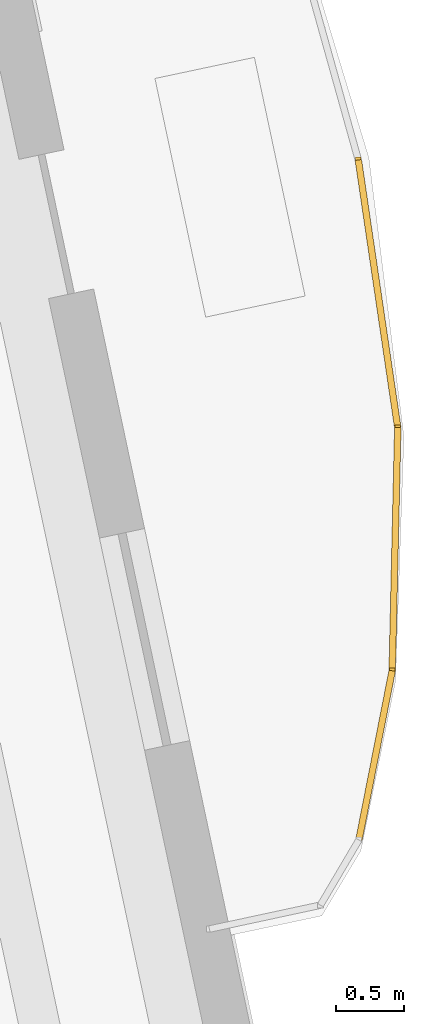
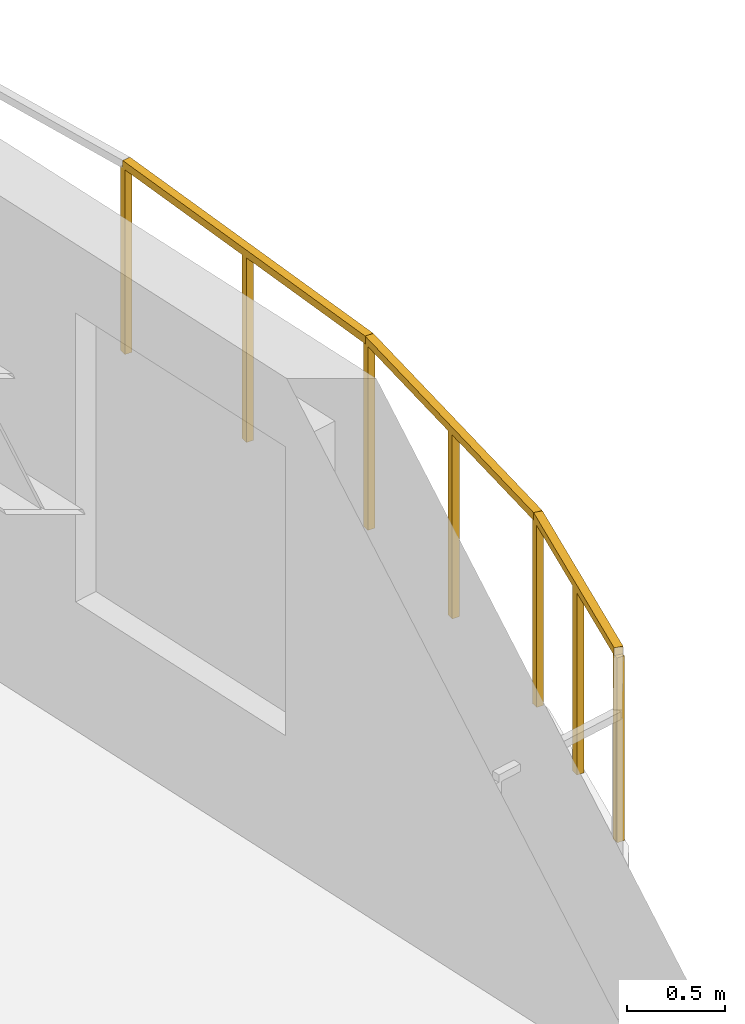
# One storey, part 25 of 25: 3 railings.
"""IFC4 building model written with IfcOpenShell, lengths in metres."""

from ifc_helpers import new_model, si_unit, direction, frame, origin, origin_2d, place, context, subcontext, project, spatial, rectangle, extrude, material, type_object, element, save


model = new_model("IFC4")

# Units and contexts
model_context = context("Model", 3, precision=1e-05, world=origin(), true_north=direction((0.0, 1.0)))
body_context = subcontext(model_context, "Body", "Model", "MODEL_VIEW")
ifc_project = project(units=[si_unit("LENGTHUNIT", "METRE"), si_unit("AREAUNIT", "SQUARE_METRE"), si_unit("VOLUMEUNIT", "CUBIC_METRE"), si_unit("PLANEANGLEUNIT", "RADIAN"), si_unit("MASSUNIT", "GRAM", prefix="KILO")], contexts=[model_context])

# Site, building, storey
site_placement = place(None, origin())
site = spatial("IfcSite", under=ifc_project, at=site_placement, CompositionType="ELEMENT")
building_placement = place(site_placement, origin())
building = spatial("IfcBuilding", under=site, at=building_placement, Name="Haevon Station Towers", CompositionType="ELEMENT")
storey_placement = place(building_placement, frame((0.0, 0.0, 50.39990234375)))
storey = spatial("IfcBuildingStorey", under=building, at=storey_placement, Name="L12", CompositionType="ELEMENT", Elevation=50.39990234375)

# Railings
ifc_material = material(Name="Steel S355", Category="steel")
railing_type = type_object("IfcRailingType", Name="GRD-EXT1200", PredefinedType="GUARDRAIL", material=ifc_material)
railing_1_placement = place(storey_placement, frame((137.352294921875, 29.663818359375, 0.0)))
element("IfcRailing", 1, at=railing_1_placement, inside=storey, type_object=railing_type, Name="L12 Perimeter Guardrail 3", PredefinedType="GUARDRAIL", context=body_context, shape_type="SweptSolid", body=[
    extrude(rectangle(XDim=0.048095703125, YDim=0.048095703125, at=origin_2d()), frame((0.0, 0.0, 1.17578125), z_axis=(0.193200510437, 0.981159295307, 0.0), x_axis=(-0.981159295307, 0.193200510437, 0.0)), (0.0, 0.0, 1.0), 1.2724609375),
    extrude(rectangle(XDim=0.0419921875, YDim=0.0419921875, at=origin_2d()), origin(), (0.0, 0.0, 1.0), 1.15185546875),
    extrude(rectangle(XDim=0.0419921875, YDim=0.0419921875, at=origin_2d()), frame((0.123046875, 0.624267578125, 0.0)), (0.0, 0.0, 1.0), 1.15185546875),
    extrude(rectangle(XDim=0.0419921875, YDim=0.0419921875, at=origin_2d()), frame((0.245849609375, 1.24853515625, 0.0)), (0.0, 0.0, 1.0), 1.15185546875),
])
railing_2_placement = place(storey_placement, frame((137.59814453125, 30.912353515625, 0.0)))
element("IfcRailing", 2, at=railing_2_placement, inside=storey, type_object=railing_type, Name="L12 Perimeter Guardrail 4", PredefinedType="GUARDRAIL", context=body_context, shape_type="SweptSolid", body=[
    extrude(rectangle(XDim=0.048095703125, YDim=0.048095703125, at=origin_2d()), frame((0.0, 0.0, 1.17578125), z_axis=(0.022993374978, 0.999735617404, 0.0), x_axis=(-0.999735617404, 0.022993374978, 0.0)), (0.0, 0.0, 1.0), 1.79443359375),
    extrude(rectangle(XDim=0.0419921875, YDim=0.0419921875, at=origin_2d()), origin(), (0.0, 0.0, 1.0), 1.15185546875),
    extrude(rectangle(XDim=0.0419921875, YDim=0.0419921875, at=origin_2d()), frame((0.0205078125, 0.89697265625, 0.0)), (0.0, 0.0, 1.0), 1.15185546875),
    extrude(rectangle(XDim=0.0419921875, YDim=0.0419921875, at=origin_2d()), frame((0.041259765625, 1.7939453125, 0.0)), (0.0, 0.0, 1.0), 1.15185546875),
])
railing_3_placement = place(storey_placement, frame((137.639404296875, 32.706298828125, 0.0)))
element("IfcRailing", 3, at=railing_3_placement, inside=storey, type_object=railing_type, Name="L12 Perimeter Guardrail 5", PredefinedType="GUARDRAIL", context=body_context, shape_type="SweptSolid", body=[
    extrude(rectangle(XDim=0.048095703125, YDim=0.048095703125, at=origin_2d()), frame((0.0, 0.0, 1.17578125), z_axis=(-0.14575095832, 0.989321311884, 0.0), x_axis=(-0.989321311884, -0.14575095832, 0.0)), (0.0, 0.0, 1.0), 1.99658203125),
    extrude(rectangle(XDim=0.0419921875, YDim=0.0419921875, at=origin_2d()), origin(), (0.0, 0.0, 1.0), 1.15185546875),
    extrude(rectangle(XDim=0.0419921875, YDim=0.0419921875, at=origin_2d()), frame((-0.1455078125, 0.98779296875, 0.0)), (0.0, 0.0, 1.0), 1.15185546875),
    extrude(rectangle(XDim=0.0419921875, YDim=0.0419921875, at=origin_2d()), frame((-0.291015625, 1.975341796875, 0.0)), (0.0, 0.0, 1.0), 1.15185546875),
])

save(model, "model.ifc")
